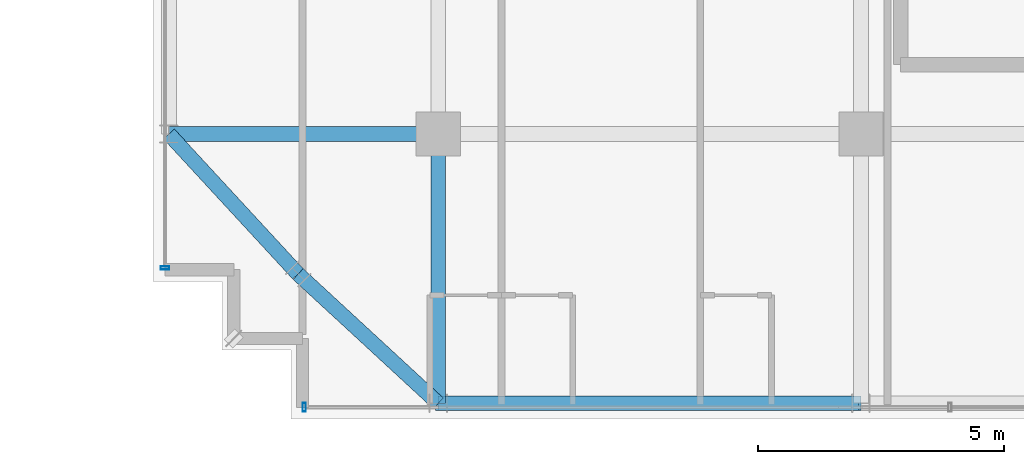
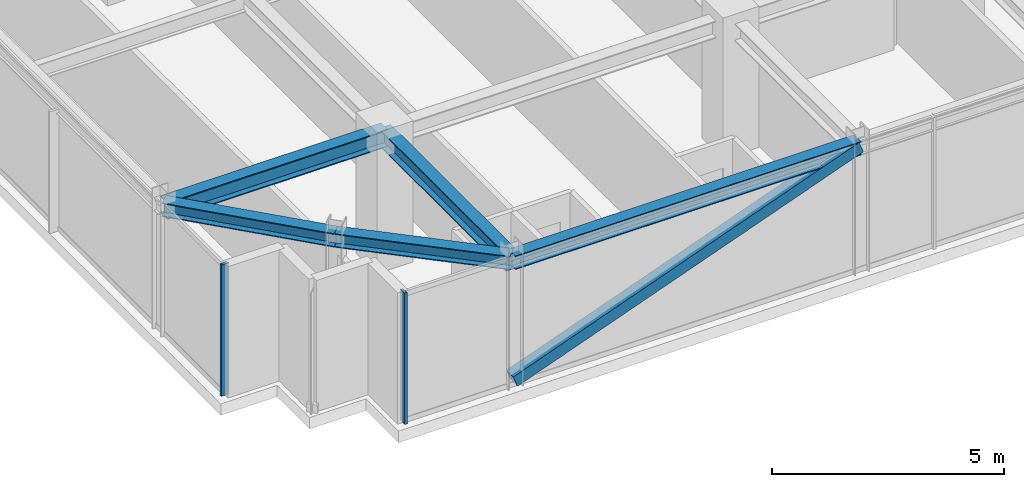
# One storey, part 4 of 36: 5 beams, 3 members, 2 elements without a shape of their own.
"""IFC4 building model written with IfcOpenShell, lengths in metres."""

from ifc_helpers import new_model, si_unit, direction, frame, origin, origin_2d, place, context, subcontext, project, spatial, hollow_rectangle, i_section, extrude, source, transform, mapped, material, material_profile, profile_set, type_object, element, aggregate, save


model = new_model("IFC4")

# Units and contexts
model_context = context("Model", 3, precision=1e-05, world=origin(), true_north=direction((0.0, 1.0)))
body_context = subcontext(model_context, "Body", "Model", "MODEL_VIEW")
ifc_project = project(units=[si_unit("LENGTHUNIT", "METRE"), si_unit("AREAUNIT", "SQUARE_METRE"), si_unit("VOLUMEUNIT", "CUBIC_METRE"), si_unit("PLANEANGLEUNIT", "RADIAN"), si_unit("MASSUNIT", "GRAM", prefix="KILO")], contexts=[model_context])

# Site, building, storey
site_placement = place(None, origin())
site = spatial("IfcSite", under=ifc_project, at=site_placement, CompositionType="ELEMENT")
building_placement = place(site_placement, origin())
building = spatial("IfcBuilding", under=site, at=building_placement, Name="Nahalor Promenade Grand Hotel", CompositionType="ELEMENT")
storey_placement = place(building_placement, frame((0.0, 0.0, 273.800048828125)))
storey = spatial("IfcBuildingStorey", under=building, at=storey_placement, Name="L70", CompositionType="ELEMENT", Elevation=273.800048828125)

# Beams
ifc_material_1 = material(Name="Steel S355JR", Category="steel")
ifc_material_profile_1 = material_profile(ifc_material_1, i_section(OverallWidth=0.3, OverallDepth=0.45, WebThickness=0.014, FlangeThickness=0.026, at=origin_2d()), Name="HEB 450")
ifc_profile_set_1 = profile_set([ifc_material_profile_1], Name="Steel S355JR")
beam_type_1 = type_object("IfcBeamType", Name="Beam-Girder-HEB450", PredefinedType="BEAM", material=ifc_profile_set_1)
shared_shape_1 = source(origin(), body_context, "Body", "SweptSolid", [
    extrude(i_section(OverallWidth=0.3, OverallDepth=0.45, WebThickness=0.014, FlangeThickness=0.026, at=origin_2d()), origin(), (0.0, 0.0, 1.0), 5.47998046875),
])
for number, where, z_axis, x_axis, name in (
    (1, (-22.47998046875, -17.0, 3.224853515625), (1.0, 0.0, 0.0), (0.0, 1.0, 0.0), "BM-L70-GX-0-0"),
    (2, (-17.0, -22.47998046875, 3.224853515625), (0.0, 1.0, 0.0), (-1.0, 0.0, 0.0), "BM-L70-GY-0-0"),
):
    element("IfcBeam", number, at=place(storey_placement, frame(where, z_axis=z_axis, x_axis=x_axis)), inside=storey, type_object=beam_type_1, Name=name, PredefinedType="BEAM", context=body_context, shape_type="MappedRepresentation", body=[
        mapped(shared_shape_1, transform((0.0, 0.0, 0.0), scale=1.0)),
    ])
ifc_material_profile_2 = material_profile(ifc_material_1, i_section(OverallWidth=0.3, OverallDepth=0.36, WebThickness=0.0125, FlangeThickness=0.0225, at=origin_2d()), Name="HEB 360")
ifc_profile_set_2 = profile_set([ifc_material_profile_2], Name="Steel S355JR")
beam_type_2 = type_object("IfcBeamType", Name="Beam-Spandrel-HEB360", PredefinedType="SPANDREL", material=ifc_profile_set_2)
shared_shape_2 = source(origin(), body_context, "Body", "SweptSolid", [
    extrude(i_section(OverallWidth=0.3, OverallDepth=0.36, WebThickness=0.0125, FlangeThickness=0.0225, at=origin_2d()), origin(), (0.0, 0.0, 1.0), 8.60009765625),
])
beam_placement = place(storey_placement, frame((-17.0, -22.47998046875, 3.27001953125), z_axis=(1.0, 0.0, 0.0), x_axis=(0.0, 1.0, 0.0)))
element("IfcBeam", 3, at=beam_placement, inside=storey, type_object=beam_type_2, Name="BM-L70-SP-S-0", PredefinedType="SPANDREL", context=body_context, shape_type="MappedRepresentation", body=[
    mapped(shared_shape_2, transform((0.0, 0.0, 0.0), scale=1.0)),
])
shared_shape_3 = source(origin(), body_context, "Body", "SweptSolid", [
    extrude(i_section(OverallWidth=0.3, OverallDepth=0.36, WebThickness=0.0125, FlangeThickness=0.0225, at=origin_2d()), origin(), (0.0, 0.0, 1.0), 3.878173828125),
])
for number, where, z_axis, x_axis, name in (
    (4, (-17.0, -22.47998046875, 3.27001953125), (-0.73492893846, 0.678144125843, 0.0), (-0.678144125843, -0.73492893846, 0.0), "BM-L70-SPC-SW-1"),
    (5, (-19.85009765625, -19.85009765625, 3.27001953125), (-0.678144125843, 0.73492893846, 0.0), (-0.73492893846, -0.678144125843, 0.0), "BM-L70-SPC-SW-2"),
):
    element("IfcBeam", number, at=place(storey_placement, frame(where, z_axis=z_axis, x_axis=x_axis)), inside=storey, type_object=beam_type_2, Name=name, PredefinedType="SPANDREL", context=body_context, shape_type="MappedRepresentation", body=[
        mapped(shared_shape_3, transform((0.0, 0.0, 0.0), scale=1.0)),
    ])

# Member
ifc_material_profile_3 = material_profile(ifc_material_1, hollow_rectangle(XDim=0.3, YDim=0.3, WallThickness=0.016, at=origin_2d()), Name="SHS 300x300x16")
ifc_profile_set_3 = profile_set([ifc_material_profile_3], Name="Steel S355JR")
member_type_1 = type_object("IfcMemberType", Name="Mem-CrownBrace-SHS300", PredefinedType="BRACE", material=ifc_profile_set_3)
shared_shape_4 = source(origin(), body_context, "Body", "SweptSolid", [
    extrude(hollow_rectangle(XDim=0.3, YDim=0.3, WallThickness=0.016, at=origin_2d()), origin(), (0.0, 0.0, 1.0), 9.158935546875),
])
member_1_placement = place(storey_placement, frame((-17.0, -22.47998046875, 0.14990234375), z_axis=(0.938989990654, 0.0, 0.343944468558), x_axis=(0.0, 1.0, 0.0)))
element("IfcMember", 6, at=member_1_placement, inside=storey, type_object=member_type_1, Name="EXO-L70-S-0", PredefinedType="BRACE", context=body_context, shape_type="MappedRepresentation", body=[
    mapped(shared_shape_4, transform((0.0, 0.0, 0.0), scale=1.0)),
])

# Curtain wall, member
ifc_material_2 = material(Name="Anodised Bronze Aluminium EN AW-6063 T6", Category="aluminium")
curtain_wall_type = type_object("IfcCurtainWallType", Name="CW2 Typical Hotel Flush Bronze Unitised Curtain Wall", PredefinedType="USERDEFINED", material=ifc_material_2)
curtain_wall_1_placement = place(storey_placement, origin())
curtain_wall_1 = element("IfcCurtainWall", 7, at=curtain_wall_1_placement, inside=storey, type_object=curtain_wall_type, Name="L70 Curtain Wall CW-L70-S-1", ObjectType="UNITISED_CURTAIN_WALL", PredefinedType="USERDEFINED")
ifc_material_profile_4 = material_profile(ifc_material_2, hollow_rectangle(XDim=0.065, YDim=0.18, WallThickness=0.004, at=origin_2d()), Name="CWM 65x180x4")
ifc_profile_set_4 = profile_set([ifc_material_profile_4], Name="Anodised Bronze Aluminium EN AW-6063 T6")
member_type_2 = type_object("IfcMemberType", Name="CWM2 Typical Bronze Mullion 65x180", PredefinedType="MULLION", material=ifc_profile_set_4)
shared_shape_5 = source(origin(), body_context, "Body", "SweptSolid", [
    extrude(hollow_rectangle(XDim=0.065, YDim=0.18, WallThickness=0.004, at=origin_2d()), origin(), (0.0, 0.0, 1.0), 3.449951171875),
])
member_2_placement = place(storey_placement, frame((-19.7275390625, -22.56005859375, 0.0), z_axis=(0.0, 0.0, 1.0), x_axis=(1.0, 0.0, 0.0)))
member_2 = element("IfcMember", 8, at=member_2_placement, type_object=member_type_2, Name="CW-L70-S-1 Mullion 0", PredefinedType="MULLION", context=body_context, shape_type="MappedRepresentation", body=[
    mapped(shared_shape_5, transform((0.0, 0.0, 0.0), scale=1.0)),
])
aggregate(curtain_wall_1, [member_2])

curtain_wall_2_placement = place(storey_placement, origin())
curtain_wall_2 = element("IfcCurtainWall", 9, at=curtain_wall_2_placement, inside=storey, type_object=curtain_wall_type, Name="L70 Curtain Wall CW-L70-W-1", ObjectType="UNITISED_CURTAIN_WALL", PredefinedType="USERDEFINED")
member_3_placement = place(storey_placement, frame((-22.56005859375, -19.7275390625, 0.0), z_axis=(0.0, 0.0, 1.0), x_axis=(0.0, 1.0, 0.0)))
member_3 = element("IfcMember", 10, at=member_3_placement, type_object=member_type_2, Name="CW-L70-W-1 Mullion 0", PredefinedType="MULLION", context=body_context, shape_type="MappedRepresentation", body=[
    mapped(shared_shape_5, transform((0.0, 0.0, 0.0), scale=1.0)),
])
aggregate(curtain_wall_2, [member_3])

save(model, "model.ifc")
